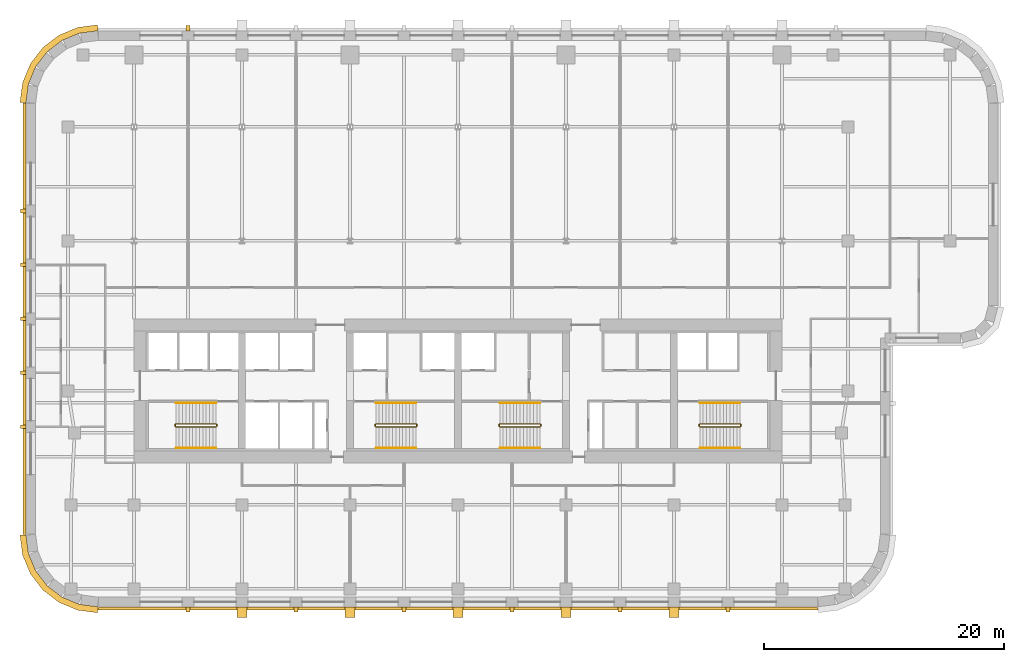
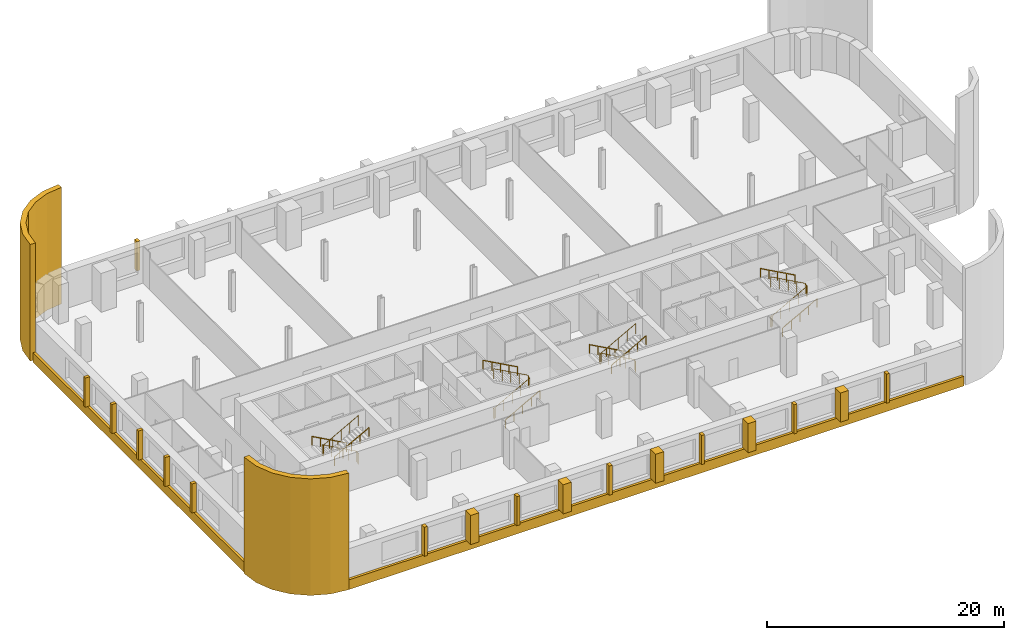
# One storey, part 8 of 9: 21 coverings, 12 railings.
"""IFC4 building model written with IfcOpenShell, lengths in metres."""

from ifc_helpers import new_model, si_unit, direction, frame, origin, origin_2d, place, context, subcontext, project, spatial, polyline, circle, outline, extrude, material, layer, layer_set, type_object, element, save


model = new_model("IFC4")

# Units and contexts
model_context = context("Model", 3, precision=1e-05, world=origin(), true_north=direction((0.0, 1.0)))
body_context = subcontext(model_context, "Body", "Model", "MODEL_VIEW")
ifc_project = project(units=[si_unit("LENGTHUNIT", "METRE"), si_unit("AREAUNIT", "SQUARE_METRE"), si_unit("VOLUMEUNIT", "CUBIC_METRE"), si_unit("PLANEANGLEUNIT", "RADIAN"), si_unit("MASSUNIT", "GRAM", prefix="KILO")], contexts=[model_context])

# Site, building, storey
site_placement = place(None, origin())
site = spatial("IfcSite", under=ifc_project, at=site_placement, CompositionType="ELEMENT")
building_placement = place(site_placement, origin())
building = spatial("IfcBuilding", under=site, at=building_placement, Name="Zellij Exchange Tower", CompositionType="ELEMENT")
storey_placement = place(building_placement, frame((0.0, 0.0, 132.5)))
storey = spatial("IfcBuildingStorey", under=building, at=storey_placement, Name="L29", CompositionType="ELEMENT", Elevation=132.5)

# Railings
ifc_material_1 = material(Name="Stainless steel", Category="steel")
railing_type_1 = type_object("IfcRailingType", Name="CORE-RG stair guard", PredefinedType="GUARDRAIL", material=ifc_material_1)
railing_1_placement = place(storey_placement, frame((-20.10009765625, -10.800048828125, 0.0)))
element("IfcRailing", 1, at=railing_1_placement, inside=storey, type_object=railing_type_1, Name="ST1 stair guard L29", PredefinedType="GUARDRAIL", context=body_context, shape_type="SweptSolid", body=[
    extrude(circle(Radius=0.02392578125, at=origin_2d()), frame((0.0, 0.0, 1.076171875), z_axis=(0.0, -1.0, 0.0), x_axis=(1.0, 0.0, 0.0)), (0.0, 0.0, 1.0), 0.14990234375),
    extrude(circle(Radius=0.02392578125, at=origin_2d()), frame((0.0, -0.14990234375, 1.076171875), z_axis=(-0.193691321961, 0.777613689637, 0.598164376644), x_axis=(-0.970351222016, -0.241699205484, 0.0)), (0.0, 0.0, 1.0), 0.257080078125),
    extrude(circle(Radius=0.02392578125, at=origin_2d()), frame((-0.0498046875, 0.050048828125, 1.22998046875), z_axis=(-0.876421534553, 0.0, 0.481544695509), x_axis=(0.0, -1.0, 0.0)), (0.0, 0.0, 1.0), 3.833984375),
    extrude(circle(Radius=0.02392578125, at=origin_2d()), frame((-3.409912109375, 0.050048828125, 3.076171875), z_axis=(-0.707106781187, -0.707106781187, 0.0), x_axis=(0.707106781187, -0.707106781187, 0.0)), (0.0, 0.0, 1.0), 0.07080078125),
    extrude(circle(Radius=0.02392578125, at=origin_2d()), frame((-3.4599609375, 0.0, 3.076171875), z_axis=(0.0, -1.0, 0.0), x_axis=(1.0, 0.0, 0.0)), (0.0, 0.0, 1.0), 0.14990234375),
    extrude(circle(Radius=0.02392578125, at=origin_2d()), frame((-3.4599609375, -0.14990234375, 3.076171875), z_axis=(0.295599637079, -0.295599637079, 0.908428152975), x_axis=(0.707106781187, 0.707106781187, 0.0)), (0.0, 0.0, 1.0), 0.16943359375),
    extrude(circle(Radius=0.02392578125, at=origin_2d()), frame((-3.409912109375, -0.199951171875, 3.22998046875), z_axis=(0.876421534553, 0.0, 0.481544695509), x_axis=(0.0, 1.0, 0.0)), (0.0, 0.0, 1.0), 3.833984375),
    extrude(circle(Radius=0.02099609375, at=origin_2d()), origin(), (0.0, 0.0, 1.0), 1.052001953125),
    extrude(circle(Radius=0.02099609375, at=origin_2d()), frame((0.0, -0.14990234375, 0.0)), (0.0, 0.0, 1.0), 1.052001953125),
    extrude(circle(Radius=0.02099609375, at=origin_2d()), frame((-0.0498046875, 0.050048828125, 0.15380859375)), (0.0, 0.0, 1.0), 1.052001953125),
    extrude(circle(Radius=0.02099609375, at=origin_2d()), frame((-0.889892578125, 0.050048828125, 0.615234375)), (0.0, 0.0, 1.0), 1.052001953125),
    extrude(circle(Radius=0.02099609375, at=origin_2d()), frame((-1.72998046875, 0.050048828125, 1.076904296875)), (0.0, 0.0, 1.0), 1.052001953125),
    extrude(circle(Radius=0.02099609375, at=origin_2d()), frame((-2.56982421875, 0.050048828125, 1.53857421875)), (0.0, 0.0, 1.0), 1.052001953125),
    extrude(circle(Radius=0.02099609375, at=origin_2d()), frame((-3.409912109375, 0.050048828125, 2.0)), (0.0, 0.0, 1.0), 1.052001953125),
    extrude(circle(Radius=0.02099609375, at=origin_2d()), frame((-3.4599609375, 0.0, 2.0)), (0.0, 0.0, 1.0), 1.052001953125),
    extrude(circle(Radius=0.02099609375, at=origin_2d()), frame((-3.4599609375, -0.14990234375, 2.0)), (0.0, 0.0, 1.0), 1.052001953125),
    extrude(circle(Radius=0.02099609375, at=origin_2d()), frame((-3.409912109375, -0.199951171875, 2.15380859375)), (0.0, 0.0, 1.0), 1.052001953125),
    extrude(circle(Radius=0.02099609375, at=origin_2d()), frame((-2.56982421875, -0.199951171875, 2.615234375)), (0.0, 0.0, 1.0), 1.052001953125),
    extrude(circle(Radius=0.02099609375, at=origin_2d()), frame((-1.72998046875, -0.199951171875, 3.076904296875)), (0.0, 0.0, 1.0), 1.052001953125),
    extrude(circle(Radius=0.02099609375, at=origin_2d()), frame((-0.889892578125, -0.199951171875, 3.53857421875)), (0.0, 0.0, 1.0), 1.052001953125),
    extrude(circle(Radius=0.02099609375, at=origin_2d()), frame((-0.0498046875, -0.199951171875, 4.0)), (0.0, 0.0, 1.0), 1.052001953125),
])
railing_2_placement = place(storey_placement, frame((-6.89990234375, -10.949951171875, 0.0)))
element("IfcRailing", 2, at=railing_2_placement, inside=storey, type_object=railing_type_1, Name="ST2 stair guard L29", PredefinedType="GUARDRAIL", context=body_context, shape_type="SweptSolid", body=[
    extrude(circle(Radius=0.02392578125, at=origin_2d()), frame((0.0, 0.0, 1.076171875), z_axis=(0.0, 1.0, 0.0), x_axis=(-1.0, 0.0, 0.0)), (0.0, 0.0, 1.0), 0.14990234375),
    extrude(circle(Radius=0.02392578125, at=origin_2d()), frame((0.0, 0.14990234375, 1.076171875), z_axis=(0.193691321961, -0.777613689637, 0.598164376644), x_axis=(0.970351222016, 0.241699205484, 0.0)), (0.0, 0.0, 1.0), 0.257080078125),
    extrude(circle(Radius=0.02392578125, at=origin_2d()), frame((0.0498046875, -0.050048828125, 1.22998046875), z_axis=(0.876421534553, 0.0, 0.481544695509), x_axis=(0.0, 1.0, 0.0)), (0.0, 0.0, 1.0), 3.833984375),
    extrude(circle(Radius=0.02392578125, at=origin_2d()), frame((3.409912109375, -0.050048828125, 3.076171875), z_axis=(0.707106781187, 0.707106781187, 0.0), x_axis=(-0.707106781187, 0.707106781187, 0.0)), (0.0, 0.0, 1.0), 0.07080078125),
    extrude(circle(Radius=0.02392578125, at=origin_2d()), frame((3.4599609375, 0.0, 3.076171875), z_axis=(0.0, 1.0, 0.0), x_axis=(-1.0, 0.0, 0.0)), (0.0, 0.0, 1.0), 0.14990234375),
    extrude(circle(Radius=0.02392578125, at=origin_2d()), frame((3.4599609375, 0.14990234375, 3.076171875), z_axis=(-0.295599637079, 0.295599637079, 0.908428152975), x_axis=(-0.707106781187, -0.707106781187, 0.0)), (0.0, 0.0, 1.0), 0.16943359375),
    extrude(circle(Radius=0.02392578125, at=origin_2d()), frame((3.409912109375, 0.199951171875, 3.22998046875), z_axis=(-0.876421534553, 0.0, 0.481544695509), x_axis=(0.0, -1.0, 0.0)), (0.0, 0.0, 1.0), 3.833984375),
    extrude(circle(Radius=0.02099609375, at=origin_2d()), origin(), (0.0, 0.0, 1.0), 1.052001953125),
    extrude(circle(Radius=0.02099609375, at=origin_2d()), frame((0.0, 0.14990234375, 0.0)), (0.0, 0.0, 1.0), 1.052001953125),
    extrude(circle(Radius=0.02099609375, at=origin_2d()), frame((0.0498046875, -0.050048828125, 0.15380859375)), (0.0, 0.0, 1.0), 1.052001953125),
    extrude(circle(Radius=0.02099609375, at=origin_2d()), frame((0.889892578125, -0.050048828125, 0.615234375)), (0.0, 0.0, 1.0), 1.052001953125),
    extrude(circle(Radius=0.02099609375, at=origin_2d()), frame((1.72998046875, -0.050048828125, 1.076904296875)), (0.0, 0.0, 1.0), 1.052001953125),
    extrude(circle(Radius=0.02099609375, at=origin_2d()), frame((2.56982421875, -0.050048828125, 1.53857421875)), (0.0, 0.0, 1.0), 1.052001953125),
    extrude(circle(Radius=0.02099609375, at=origin_2d()), frame((3.409912109375, -0.050048828125, 2.0)), (0.0, 0.0, 1.0), 1.052001953125),
    extrude(circle(Radius=0.02099609375, at=origin_2d()), frame((3.4599609375, 0.0, 2.0)), (0.0, 0.0, 1.0), 1.052001953125),
    extrude(circle(Radius=0.02099609375, at=origin_2d()), frame((3.4599609375, 0.14990234375, 2.0)), (0.0, 0.0, 1.0), 1.052001953125),
    extrude(circle(Radius=0.02099609375, at=origin_2d()), frame((3.409912109375, 0.199951171875, 2.15380859375)), (0.0, 0.0, 1.0), 1.052001953125),
    extrude(circle(Radius=0.02099609375, at=origin_2d()), frame((2.56982421875, 0.199951171875, 2.615234375)), (0.0, 0.0, 1.0), 1.052001953125),
    extrude(circle(Radius=0.02099609375, at=origin_2d()), frame((1.72998046875, 0.199951171875, 3.076904296875)), (0.0, 0.0, 1.0), 1.052001953125),
    extrude(circle(Radius=0.02099609375, at=origin_2d()), frame((0.889892578125, 0.199951171875, 3.53857421875)), (0.0, 0.0, 1.0), 1.052001953125),
    extrude(circle(Radius=0.02099609375, at=origin_2d()), frame((0.0498046875, 0.199951171875, 4.0)), (0.0, 0.0, 1.0), 1.052001953125),
])
railing_3_placement = place(storey_placement, frame((6.89990234375, -10.800048828125, 0.0)))
element("IfcRailing", 3, at=railing_3_placement, inside=storey, type_object=railing_type_1, Name="ST3 stair guard L29", PredefinedType="GUARDRAIL", context=body_context, shape_type="SweptSolid", body=[
    extrude(circle(Radius=0.02392578125, at=origin_2d()), frame((0.0, 0.0, 1.076171875), z_axis=(0.0, -1.0, 0.0), x_axis=(1.0, 0.0, 0.0)), (0.0, 0.0, 1.0), 0.14990234375),
    extrude(circle(Radius=0.02392578125, at=origin_2d()), frame((0.0, -0.14990234375, 1.076171875), z_axis=(-0.193691321961, 0.777613689637, 0.598164376644), x_axis=(-0.970351222016, -0.241699205484, 0.0)), (0.0, 0.0, 1.0), 0.257080078125),
    extrude(circle(Radius=0.02392578125, at=origin_2d()), frame((-0.0498046875, 0.050048828125, 1.22998046875), z_axis=(-0.876421534553, 0.0, 0.481544695509), x_axis=(0.0, -1.0, 0.0)), (0.0, 0.0, 1.0), 3.833984375),
    extrude(circle(Radius=0.02392578125, at=origin_2d()), frame((-3.409912109375, 0.050048828125, 3.076171875), z_axis=(-0.707106781187, -0.707106781187, 0.0), x_axis=(0.707106781187, -0.707106781187, 0.0)), (0.0, 0.0, 1.0), 0.07080078125),
    extrude(circle(Radius=0.02392578125, at=origin_2d()), frame((-3.4599609375, 0.0, 3.076171875), z_axis=(0.0, -1.0, 0.0), x_axis=(1.0, 0.0, 0.0)), (0.0, 0.0, 1.0), 0.14990234375),
    extrude(circle(Radius=0.02392578125, at=origin_2d()), frame((-3.4599609375, -0.14990234375, 3.076171875), z_axis=(0.295599637079, -0.295599637079, 0.908428152975), x_axis=(0.707106781187, 0.707106781187, 0.0)), (0.0, 0.0, 1.0), 0.16943359375),
    extrude(circle(Radius=0.02392578125, at=origin_2d()), frame((-3.409912109375, -0.199951171875, 3.22998046875), z_axis=(0.876421534553, 0.0, 0.481544695509), x_axis=(0.0, 1.0, 0.0)), (0.0, 0.0, 1.0), 3.833984375),
    extrude(circle(Radius=0.02099609375, at=origin_2d()), origin(), (0.0, 0.0, 1.0), 1.052001953125),
    extrude(circle(Radius=0.02099609375, at=origin_2d()), frame((0.0, -0.14990234375, 0.0)), (0.0, 0.0, 1.0), 1.052001953125),
    extrude(circle(Radius=0.02099609375, at=origin_2d()), frame((-0.0498046875, 0.050048828125, 0.15380859375)), (0.0, 0.0, 1.0), 1.052001953125),
    extrude(circle(Radius=0.02099609375, at=origin_2d()), frame((-0.889892578125, 0.050048828125, 0.615234375)), (0.0, 0.0, 1.0), 1.052001953125),
    extrude(circle(Radius=0.02099609375, at=origin_2d()), frame((-1.72998046875, 0.050048828125, 1.076904296875)), (0.0, 0.0, 1.0), 1.052001953125),
    extrude(circle(Radius=0.02099609375, at=origin_2d()), frame((-2.56982421875, 0.050048828125, 1.53857421875)), (0.0, 0.0, 1.0), 1.052001953125),
    extrude(circle(Radius=0.02099609375, at=origin_2d()), frame((-3.409912109375, 0.050048828125, 2.0)), (0.0, 0.0, 1.0), 1.052001953125),
    extrude(circle(Radius=0.02099609375, at=origin_2d()), frame((-3.4599609375, 0.0, 2.0)), (0.0, 0.0, 1.0), 1.052001953125),
    extrude(circle(Radius=0.02099609375, at=origin_2d()), frame((-3.4599609375, -0.14990234375, 2.0)), (0.0, 0.0, 1.0), 1.052001953125),
    extrude(circle(Radius=0.02099609375, at=origin_2d()), frame((-3.409912109375, -0.199951171875, 2.15380859375)), (0.0, 0.0, 1.0), 1.052001953125),
    extrude(circle(Radius=0.02099609375, at=origin_2d()), frame((-2.56982421875, -0.199951171875, 2.615234375)), (0.0, 0.0, 1.0), 1.052001953125),
    extrude(circle(Radius=0.02099609375, at=origin_2d()), frame((-1.72998046875, -0.199951171875, 3.076904296875)), (0.0, 0.0, 1.0), 1.052001953125),
    extrude(circle(Radius=0.02099609375, at=origin_2d()), frame((-0.889892578125, -0.199951171875, 3.53857421875)), (0.0, 0.0, 1.0), 1.052001953125),
    extrude(circle(Radius=0.02099609375, at=origin_2d()), frame((-0.0498046875, -0.199951171875, 4.0)), (0.0, 0.0, 1.0), 1.052001953125),
])
railing_4_placement = place(storey_placement, frame((20.10009765625, -10.949951171875, 0.0)))
element("IfcRailing", 4, at=railing_4_placement, inside=storey, type_object=railing_type_1, Name="ST4 stair guard L29", PredefinedType="GUARDRAIL", context=body_context, shape_type="SweptSolid", body=[
    extrude(circle(Radius=0.02392578125, at=origin_2d()), frame((0.0, 0.0, 1.076171875), z_axis=(0.0, 1.0, 0.0), x_axis=(-1.0, 0.0, 0.0)), (0.0, 0.0, 1.0), 0.14990234375),
    extrude(circle(Radius=0.02392578125, at=origin_2d()), frame((0.0, 0.14990234375, 1.076171875), z_axis=(0.193691321961, -0.777613689637, 0.598164376644), x_axis=(0.970351222016, 0.241699205484, 0.0)), (0.0, 0.0, 1.0), 0.257080078125),
    extrude(circle(Radius=0.02392578125, at=origin_2d()), frame((0.0498046875, -0.050048828125, 1.22998046875), z_axis=(0.876421534553, 0.0, 0.481544695509), x_axis=(0.0, 1.0, 0.0)), (0.0, 0.0, 1.0), 3.833984375),
    extrude(circle(Radius=0.02392578125, at=origin_2d()), frame((3.409912109375, -0.050048828125, 3.076171875), z_axis=(0.707106781187, 0.707106781187, 0.0), x_axis=(-0.707106781187, 0.707106781187, 0.0)), (0.0, 0.0, 1.0), 0.07080078125),
    extrude(circle(Radius=0.02392578125, at=origin_2d()), frame((3.4599609375, 0.0, 3.076171875), z_axis=(0.0, 1.0, 0.0), x_axis=(-1.0, 0.0, 0.0)), (0.0, 0.0, 1.0), 0.14990234375),
    extrude(circle(Radius=0.02392578125, at=origin_2d()), frame((3.4599609375, 0.14990234375, 3.076171875), z_axis=(-0.295599637079, 0.295599637079, 0.908428152975), x_axis=(-0.707106781187, -0.707106781187, 0.0)), (0.0, 0.0, 1.0), 0.16943359375),
    extrude(circle(Radius=0.02392578125, at=origin_2d()), frame((3.409912109375, 0.199951171875, 3.22998046875), z_axis=(-0.876421534553, 0.0, 0.481544695509), x_axis=(0.0, -1.0, 0.0)), (0.0, 0.0, 1.0), 3.833984375),
    extrude(circle(Radius=0.02099609375, at=origin_2d()), origin(), (0.0, 0.0, 1.0), 1.052001953125),
    extrude(circle(Radius=0.02099609375, at=origin_2d()), frame((0.0, 0.14990234375, 0.0)), (0.0, 0.0, 1.0), 1.052001953125),
    extrude(circle(Radius=0.02099609375, at=origin_2d()), frame((0.0498046875, -0.050048828125, 0.15380859375)), (0.0, 0.0, 1.0), 1.052001953125),
    extrude(circle(Radius=0.02099609375, at=origin_2d()), frame((0.889892578125, -0.050048828125, 0.615234375)), (0.0, 0.0, 1.0), 1.052001953125),
    extrude(circle(Radius=0.02099609375, at=origin_2d()), frame((1.72998046875, -0.050048828125, 1.076904296875)), (0.0, 0.0, 1.0), 1.052001953125),
    extrude(circle(Radius=0.02099609375, at=origin_2d()), frame((2.56982421875, -0.050048828125, 1.53857421875)), (0.0, 0.0, 1.0), 1.052001953125),
    extrude(circle(Radius=0.02099609375, at=origin_2d()), frame((3.409912109375, -0.050048828125, 2.0)), (0.0, 0.0, 1.0), 1.052001953125),
    extrude(circle(Radius=0.02099609375, at=origin_2d()), frame((3.4599609375, 0.0, 2.0)), (0.0, 0.0, 1.0), 1.052001953125),
    extrude(circle(Radius=0.02099609375, at=origin_2d()), frame((3.4599609375, 0.14990234375, 2.0)), (0.0, 0.0, 1.0), 1.052001953125),
    extrude(circle(Radius=0.02099609375, at=origin_2d()), frame((3.409912109375, 0.199951171875, 2.15380859375)), (0.0, 0.0, 1.0), 1.052001953125),
    extrude(circle(Radius=0.02099609375, at=origin_2d()), frame((2.56982421875, 0.199951171875, 2.615234375)), (0.0, 0.0, 1.0), 1.052001953125),
    extrude(circle(Radius=0.02099609375, at=origin_2d()), frame((1.72998046875, 0.199951171875, 3.076904296875)), (0.0, 0.0, 1.0), 1.052001953125),
    extrude(circle(Radius=0.02099609375, at=origin_2d()), frame((0.889892578125, 0.199951171875, 3.53857421875)), (0.0, 0.0, 1.0), 1.052001953125),
    extrude(circle(Radius=0.02099609375, at=origin_2d()), frame((0.0498046875, 0.199951171875, 4.0)), (0.0, 0.0, 1.0), 1.052001953125),
])
railing_type_2 = type_object("IfcRailingType", Name="CORE-RH stair handrail", PredefinedType="HANDRAIL", material=ifc_material_1)
railing_5_placement = place(storey_placement, frame((-20.14990234375, -9.0, 0.15380859375)))
element("IfcRailing", 5, at=railing_5_placement, inside=storey, type_object=railing_type_2, Name="ST1 stair handrail L29", PredefinedType="HANDRAIL", context=body_context, shape_type="SweptSolid", body=[
    extrude(circle(Radius=0.02392578125, at=origin_2d()), frame((0.0, 0.0, 0.8759765625), z_axis=(-0.876421534553, 0.0, 0.481544695509), x_axis=(0.0, -1.0, 0.0)), (0.0, 0.0, 1.0), 3.833984375),
    extrude(circle(Radius=0.02099609375, at=origin_2d()), origin(), (0.0, 0.0, 1.0), 0.851806640625),
    extrude(circle(Radius=0.02099609375, at=origin_2d()), frame((-0.840087890625, 0.0, 0.46142578125)), (0.0, 0.0, 1.0), 0.851806640625),
    extrude(circle(Radius=0.02099609375, at=origin_2d()), frame((-1.68017578125, 0.0, 0.923095703125)), (0.0, 0.0, 1.0), 0.851806640625),
    extrude(circle(Radius=0.02099609375, at=origin_2d()), frame((-2.52001953125, 0.0, 1.384765625)), (0.0, 0.0, 1.0), 0.851806640625),
    extrude(circle(Radius=0.02099609375, at=origin_2d()), frame((-3.360107421875, 0.0, 1.84619140625)), (0.0, 0.0, 1.0), 0.851806640625),
])
for number, where, name in (
    (6, (-23.510009765625, -12.75, 2.15380859375), "ST1 stair handrail L29"),
    (7, (-6.85009765625, -12.75, 0.15380859375), "ST2 stair handrail L29"),
):
    element("IfcRailing", number, at=place(storey_placement, frame(where)), inside=storey, type_object=railing_type_2, Name=name, PredefinedType="HANDRAIL", context=body_context, shape_type="SweptSolid", body=[
        extrude(circle(Radius=0.02392578125, at=origin_2d()), frame((0.0, 0.0, 0.8759765625), z_axis=(0.876421534553, 0.0, 0.481544695509), x_axis=(0.0, 1.0, 0.0)), (0.0, 0.0, 1.0), 3.833984375),
        extrude(circle(Radius=0.02099609375, at=origin_2d()), origin(), (0.0, 0.0, 1.0), 0.851806640625),
        extrude(circle(Radius=0.02099609375, at=origin_2d()), frame((0.840087890625, 0.0, 0.46142578125)), (0.0, 0.0, 1.0), 0.851806640625),
        extrude(circle(Radius=0.02099609375, at=origin_2d()), frame((1.68017578125, 0.0, 0.923095703125)), (0.0, 0.0, 1.0), 0.851806640625),
        extrude(circle(Radius=0.02099609375, at=origin_2d()), frame((2.52001953125, 0.0, 1.384765625)), (0.0, 0.0, 1.0), 0.851806640625),
        extrude(circle(Radius=0.02099609375, at=origin_2d()), frame((3.360107421875, 0.0, 1.84619140625)), (0.0, 0.0, 1.0), 0.851806640625),
    ])
for number, where, name in (
    (8, (-3.489990234375, -9.0, 2.15380859375), "ST2 stair handrail L29"),
    (9, (6.85009765625, -9.0, 0.15380859375), "ST3 stair handrail L29"),
):
    element("IfcRailing", number, at=place(storey_placement, frame(where)), inside=storey, type_object=railing_type_2, Name=name, PredefinedType="HANDRAIL", context=body_context, shape_type="SweptSolid", body=[
        extrude(circle(Radius=0.02392578125, at=origin_2d()), frame((0.0, 0.0, 0.8759765625), z_axis=(-0.876421534553, 0.0, 0.481544695509), x_axis=(0.0, -1.0, 0.0)), (0.0, 0.0, 1.0), 3.833984375),
        extrude(circle(Radius=0.02099609375, at=origin_2d()), origin(), (0.0, 0.0, 1.0), 0.851806640625),
        extrude(circle(Radius=0.02099609375, at=origin_2d()), frame((-0.840087890625, 0.0, 0.46142578125)), (0.0, 0.0, 1.0), 0.851806640625),
        extrude(circle(Radius=0.02099609375, at=origin_2d()), frame((-1.68017578125, 0.0, 0.923095703125)), (0.0, 0.0, 1.0), 0.851806640625),
        extrude(circle(Radius=0.02099609375, at=origin_2d()), frame((-2.52001953125, 0.0, 1.384765625)), (0.0, 0.0, 1.0), 0.851806640625),
        extrude(circle(Radius=0.02099609375, at=origin_2d()), frame((-3.360107421875, 0.0, 1.84619140625)), (0.0, 0.0, 1.0), 0.851806640625),
    ])
for number, where, name in (
    (10, (3.489990234375, -12.75, 2.15380859375), "ST3 stair handrail L29"),
    (11, (20.14990234375, -12.75, 0.15380859375), "ST4 stair handrail L29"),
):
    element("IfcRailing", number, at=place(storey_placement, frame(where)), inside=storey, type_object=railing_type_2, Name=name, PredefinedType="HANDRAIL", context=body_context, shape_type="SweptSolid", body=[
        extrude(circle(Radius=0.02392578125, at=origin_2d()), frame((0.0, 0.0, 0.8759765625), z_axis=(0.876421534553, 0.0, 0.481544695509), x_axis=(0.0, 1.0, 0.0)), (0.0, 0.0, 1.0), 3.833984375),
        extrude(circle(Radius=0.02099609375, at=origin_2d()), origin(), (0.0, 0.0, 1.0), 0.851806640625),
        extrude(circle(Radius=0.02099609375, at=origin_2d()), frame((0.840087890625, 0.0, 0.46142578125)), (0.0, 0.0, 1.0), 0.851806640625),
        extrude(circle(Radius=0.02099609375, at=origin_2d()), frame((1.68017578125, 0.0, 0.923095703125)), (0.0, 0.0, 1.0), 0.851806640625),
        extrude(circle(Radius=0.02099609375, at=origin_2d()), frame((2.52001953125, 0.0, 1.384765625)), (0.0, 0.0, 1.0), 0.851806640625),
        extrude(circle(Radius=0.02099609375, at=origin_2d()), frame((3.360107421875, 0.0, 1.84619140625)), (0.0, 0.0, 1.0), 0.851806640625),
    ])
railing_6_placement = place(storey_placement, frame((23.510009765625, -9.0, 2.15380859375)))
element("IfcRailing", 12, at=railing_6_placement, inside=storey, type_object=railing_type_2, Name="ST4 stair handrail L29", PredefinedType="HANDRAIL", context=body_context, shape_type="SweptSolid", body=[
    extrude(circle(Radius=0.02392578125, at=origin_2d()), frame((0.0, 0.0, 0.8759765625), z_axis=(-0.876421534553, 0.0, 0.481544695509), x_axis=(0.0, -1.0, 0.0)), (0.0, 0.0, 1.0), 3.833984375),
    extrude(circle(Radius=0.02099609375, at=origin_2d()), origin(), (0.0, 0.0, 1.0), 0.851806640625),
    extrude(circle(Radius=0.02099609375, at=origin_2d()), frame((-0.840087890625, 0.0, 0.46142578125)), (0.0, 0.0, 1.0), 0.851806640625),
    extrude(circle(Radius=0.02099609375, at=origin_2d()), frame((-1.68017578125, 0.0, 0.923095703125)), (0.0, 0.0, 1.0), 0.851806640625),
    extrude(circle(Radius=0.02099609375, at=origin_2d()), frame((-2.52001953125, 0.0, 1.384765625)), (0.0, 0.0, 1.0), 0.851806640625),
    extrude(circle(Radius=0.02099609375, at=origin_2d()), frame((-3.360107421875, 0.0, 1.84619140625)), (0.0, 0.0, 1.0), 0.851806640625),
])

# Coverings
ifc_material_2 = material(Name="Limestone cladding", Category="masonry")
ifc_layer_1 = layer(ifc_material_2, 0.5)
ifc_layer_set_1 = layer_set([ifc_layer_1], Name="Limestone cladding")
covering_type_1 = type_object("IfcCoveringType", Name="ENV-CV12 Stone corner pier 500", PredefinedType="CLADDING", material=ifc_layer_set_1)
covering_1_placement = place(storey_placement, origin())
element("IfcCovering", 13, at=covering_1_placement, inside=storey, type_object=covering_type_1, Name="Stone corner pier", PredefinedType="CLADDING", context=body_context, shape_type="SweptSolid", body=[
    extrude(outline(polyline([(-30.0, 22.0), (-31.552978515625, 21.795654296875), (-33.0, 21.1962890625), (-34.24267578125, 20.24267578125), (-35.1962890625, 19.0), (-35.795654296875, 17.552978515625), (-36.0, 16.0), (-36.5, 16.03271484375), (-36.28271484375, 17.683349609375), (-35.6328125, 19.252197265625), (-34.59912109375, 20.59912109375), (-33.252197265625, 21.6328125), (-31.683349609375, 22.28271484375), (-30.03271484375, 22.5), (-30.0, 22.0)])), origin(), (0.0, 0.0, 1.0), 12.0),
])
covering_2_placement = place(storey_placement, origin())
element("IfcCovering", 14, at=covering_2_placement, inside=storey, type_object=covering_type_1, Name="Stone corner pier", PredefinedType="CLADDING", context=body_context, shape_type="SweptSolid", body=[
    extrude(outline(polyline([(-36.0, -20.0), (-35.795654296875, -21.552978515625), (-35.1962890625, -23.0), (-34.24267578125, -24.24267578125), (-33.0, -25.1962890625), (-31.552978515625, -25.795654296875), (-30.0, -26.0), (-30.03271484375, -26.5), (-31.683349609375, -26.28271484375), (-33.252197265625, -25.6328125), (-34.59912109375, -24.59912109375), (-35.6328125, -23.252197265625), (-36.28271484375, -21.683349609375), (-36.5, -20.03271484375), (-36.0, -20.0)])), origin(), (0.0, 0.0, 1.0), 12.0),
])
covering_type_2 = type_object("IfcCoveringType", Name="ENV-CV5 Stone pier 800x900", PredefinedType="CLADDING", material=ifc_material_2)
covering_3_placement = place(storey_placement, frame((0.0, 0.0, 0.800048828125)))
element("IfcCovering", 15, at=covering_3_placement, inside=storey, type_object=covering_type_2, Name="Stone pier", PredefinedType="CLADDING", context=body_context, shape_type="SweptSolid", body=[
    extrude(outline(polyline([(-18.39990234375, -26.0), (-17.60009765625, -26.0), (-17.60009765625, -26.89990234375), (-18.39990234375, -26.89990234375), (-18.39990234375, -26.0)])), origin(), (0.0, 0.0, 1.0), 3.0),
])
covering_4_placement = place(storey_placement, frame((0.0, 0.0, 0.800048828125)))
element("IfcCovering", 16, at=covering_4_placement, inside=storey, type_object=covering_type_2, Name="Stone pier", PredefinedType="CLADDING", context=body_context, shape_type="SweptSolid", body=[
    extrude(outline(polyline([(-9.39990234375, -26.0), (-8.60009765625, -26.0), (-8.60009765625, -26.89990234375), (-9.39990234375, -26.89990234375), (-9.39990234375, -26.0)])), origin(), (0.0, 0.0, 1.0), 3.0),
])
covering_5_placement = place(storey_placement, frame((0.0, 0.0, 0.800048828125)))
element("IfcCovering", 17, at=covering_5_placement, inside=storey, type_object=covering_type_2, Name="Stone pier", PredefinedType="CLADDING", context=body_context, shape_type="SweptSolid", body=[
    extrude(outline(polyline([(-0.39990234375, -26.0), (0.39990234375, -26.0), (0.39990234375, -26.89990234375), (-0.39990234375, -26.89990234375), (-0.39990234375, -26.0)])), origin(), (0.0, 0.0, 1.0), 3.0),
])
covering_6_placement = place(storey_placement, frame((0.0, 0.0, 0.800048828125)))
element("IfcCovering", 18, at=covering_6_placement, inside=storey, type_object=covering_type_2, Name="Stone pier", PredefinedType="CLADDING", context=body_context, shape_type="SweptSolid", body=[
    extrude(outline(polyline([(8.60009765625, -26.0), (9.39990234375, -26.0), (9.39990234375, -26.89990234375), (8.60009765625, -26.89990234375), (8.60009765625, -26.0)])), origin(), (0.0, 0.0, 1.0), 3.0),
])
covering_7_placement = place(storey_placement, frame((0.0, 0.0, 0.800048828125)))
element("IfcCovering", 19, at=covering_7_placement, inside=storey, type_object=covering_type_2, Name="Stone pier", PredefinedType="CLADDING", context=body_context, shape_type="SweptSolid", body=[
    extrude(outline(polyline([(17.60009765625, -26.0), (18.39990234375, -26.0), (18.39990234375, -26.89990234375), (17.60009765625, -26.89990234375), (17.60009765625, -26.0)])), origin(), (0.0, 0.0, 1.0), 3.0),
])
covering_type_3 = type_object("IfcCoveringType", Name="ENV-CV7 Stone pier 300x450", PredefinedType="CLADDING", material=ifc_material_2)
covering_8_placement = place(storey_placement, frame((0.0, 0.0, 0.800048828125)))
element("IfcCovering", 20, at=covering_8_placement, inside=storey, type_object=covering_type_3, Name="Stone pier", PredefinedType="CLADDING", context=body_context, shape_type="SweptSolid", body=[
    extrude(outline(polyline([(-22.64990234375, -26.0), (-22.35009765625, -26.0), (-22.35009765625, -26.449951171875), (-22.64990234375, -26.449951171875), (-22.64990234375, -26.0)])), origin(), (0.0, 0.0, 1.0), 3.0),
])
covering_9_placement = place(storey_placement, frame((0.0, 0.0, 0.800048828125)))
element("IfcCovering", 21, at=covering_9_placement, inside=storey, type_object=covering_type_3, Name="Stone pier", PredefinedType="CLADDING", context=body_context, shape_type="SweptSolid", body=[
    extrude(outline(polyline([(-13.64990234375, -26.0), (-13.35009765625, -26.0), (-13.35009765625, -26.449951171875), (-13.64990234375, -26.449951171875), (-13.64990234375, -26.0)])), origin(), (0.0, 0.0, 1.0), 3.0),
])
covering_10_placement = place(storey_placement, frame((0.0, 0.0, 0.800048828125)))
element("IfcCovering", 22, at=covering_10_placement, inside=storey, type_object=covering_type_3, Name="Stone pier", PredefinedType="CLADDING", context=body_context, shape_type="SweptSolid", body=[
    extrude(outline(polyline([(-4.64990234375, -26.0), (-4.35009765625, -26.0), (-4.35009765625, -26.449951171875), (-4.64990234375, -26.449951171875), (-4.64990234375, -26.0)])), origin(), (0.0, 0.0, 1.0), 3.0),
])
covering_11_placement = place(storey_placement, frame((0.0, 0.0, 0.800048828125)))
element("IfcCovering", 23, at=covering_11_placement, inside=storey, type_object=covering_type_3, Name="Stone pier", PredefinedType="CLADDING", context=body_context, shape_type="SweptSolid", body=[
    extrude(outline(polyline([(4.35009765625, -26.0), (4.64990234375, -26.0), (4.64990234375, -26.449951171875), (4.35009765625, -26.449951171875), (4.35009765625, -26.0)])), origin(), (0.0, 0.0, 1.0), 3.0),
])
covering_12_placement = place(storey_placement, frame((0.0, 0.0, 0.800048828125)))
element("IfcCovering", 24, at=covering_12_placement, inside=storey, type_object=covering_type_3, Name="Stone pier", PredefinedType="CLADDING", context=body_context, shape_type="SweptSolid", body=[
    extrude(outline(polyline([(13.35009765625, -26.0), (13.64990234375, -26.0), (13.64990234375, -26.449951171875), (13.35009765625, -26.449951171875), (13.35009765625, -26.0)])), origin(), (0.0, 0.0, 1.0), 3.0),
])
covering_13_placement = place(storey_placement, frame((0.0, 0.0, 0.800048828125)))
element("IfcCovering", 25, at=covering_13_placement, inside=storey, type_object=covering_type_3, Name="Stone pier", PredefinedType="CLADDING", context=body_context, shape_type="SweptSolid", body=[
    extrude(outline(polyline([(22.35009765625, -26.0), (22.64990234375, -26.0), (22.64990234375, -26.449951171875), (22.35009765625, -26.449951171875), (22.35009765625, -26.0)])), origin(), (0.0, 0.0, 1.0), 3.0),
])
covering_14_placement = place(storey_placement, frame((0.0, 0.0, 0.800048828125)))
element("IfcCovering", 26, at=covering_14_placement, inside=storey, type_object=covering_type_3, Name="Stone pier", PredefinedType="CLADDING", context=body_context, shape_type="SweptSolid", body=[
    extrude(outline(polyline([(-22.35009765625, 22.0), (-22.64990234375, 22.0), (-22.64990234375, 22.449951171875), (-22.35009765625, 22.449951171875), (-22.35009765625, 22.0)])), origin(), (0.0, 0.0, 1.0), 3.0),
])
covering_15_placement = place(storey_placement, frame((0.0, 0.0, 0.800048828125)))
element("IfcCovering", 27, at=covering_15_placement, inside=storey, type_object=covering_type_3, Name="Stone pier", PredefinedType="CLADDING", context=body_context, shape_type="SweptSolid", body=[
    extrude(outline(polyline([(-36.0, 7.136962890625), (-36.0, 6.8369140625), (-36.449951171875, 6.8369140625), (-36.449951171875, 7.136962890625), (-36.0, 7.136962890625)])), origin(), (0.0, 0.0, 1.0), 3.0),
])
covering_16_placement = place(storey_placement, frame((0.0, 0.0, 0.800048828125)))
element("IfcCovering", 28, at=covering_16_placement, inside=storey, type_object=covering_type_3, Name="Stone pier", PredefinedType="CLADDING", context=body_context, shape_type="SweptSolid", body=[
    extrude(outline(polyline([(-36.0, 2.6435546875), (-36.0, 2.343505859375), (-36.449951171875, 2.343505859375), (-36.449951171875, 2.6435546875), (-36.0, 2.6435546875)])), origin(), (0.0, 0.0, 1.0), 3.0),
])
covering_17_placement = place(storey_placement, frame((0.0, 0.0, 0.800048828125)))
element("IfcCovering", 29, at=covering_17_placement, inside=storey, type_object=covering_type_3, Name="Stone pier", PredefinedType="CLADDING", context=body_context, shape_type="SweptSolid", body=[
    extrude(outline(polyline([(-36.0, -1.85009765625), (-36.0, -2.14990234375), (-36.449951171875, -2.14990234375), (-36.449951171875, -1.85009765625), (-36.0, -1.85009765625)])), origin(), (0.0, 0.0, 1.0), 3.0),
])
covering_18_placement = place(storey_placement, frame((0.0, 0.0, 0.800048828125)))
element("IfcCovering", 30, at=covering_18_placement, inside=storey, type_object=covering_type_3, Name="Stone pier", PredefinedType="CLADDING", context=body_context, shape_type="SweptSolid", body=[
    extrude(outline(polyline([(-36.0, -6.343505859375), (-36.0, -6.643310546875), (-36.449951171875, -6.643310546875), (-36.449951171875, -6.343505859375), (-36.0, -6.343505859375)])), origin(), (0.0, 0.0, 1.0), 3.0),
])
covering_19_placement = place(storey_placement, frame((0.0, 0.0, 0.800048828125)))
element("IfcCovering", 31, at=covering_19_placement, inside=storey, type_object=covering_type_3, Name="Stone pier", PredefinedType="CLADDING", context=body_context, shape_type="SweptSolid", body=[
    extrude(outline(polyline([(-36.0, -10.8369140625), (-36.0, -11.136962890625), (-36.449951171875, -11.136962890625), (-36.449951171875, -10.8369140625), (-36.0, -10.8369140625)])), origin(), (0.0, 0.0, 1.0), 3.0),
])
ifc_layer_2 = layer(ifc_material_2, 0.25)
ifc_layer_set_2 = layer_set([ifc_layer_2], Name="Limestone cladding")
covering_type_4 = type_object("IfcCoveringType", Name="ENV-CV8 Stone spandrel band 250", PredefinedType="CLADDING", material=ifc_layer_set_2)
covering_20_placement = place(storey_placement, frame((0.0, 0.0, -0.199951171875)))
element("IfcCovering", 32, at=covering_20_placement, inside=storey, type_object=covering_type_4, Name="Stone spandrel band", PredefinedType="CLADDING", context=body_context, shape_type="SweptSolid", body=[
    extrude(outline(polyline([(-29.973876953125, -26.0), (29.973876953125, -26.0), (29.990234375, -26.25), (-29.990234375, -26.25), (-29.973876953125, -26.0)])), origin(), (0.0, 0.0, 1.0), 1.0),
])
covering_21_placement = place(storey_placement, frame((0.0, 0.0, -0.199951171875)))
element("IfcCovering", 33, at=covering_21_placement, inside=storey, type_object=covering_type_4, Name="Stone spandrel band", PredefinedType="CLADDING", context=body_context, shape_type="SweptSolid", body=[
    extrude(outline(polyline([(-36.0, 15.973876953125), (-36.0, -19.973876953125), (-36.25, -19.990234375), (-36.25, 15.990234375), (-36.0, 15.973876953125)])), origin(), (0.0, 0.0, 1.0), 1.0),
])

save(model, "model.ifc")
